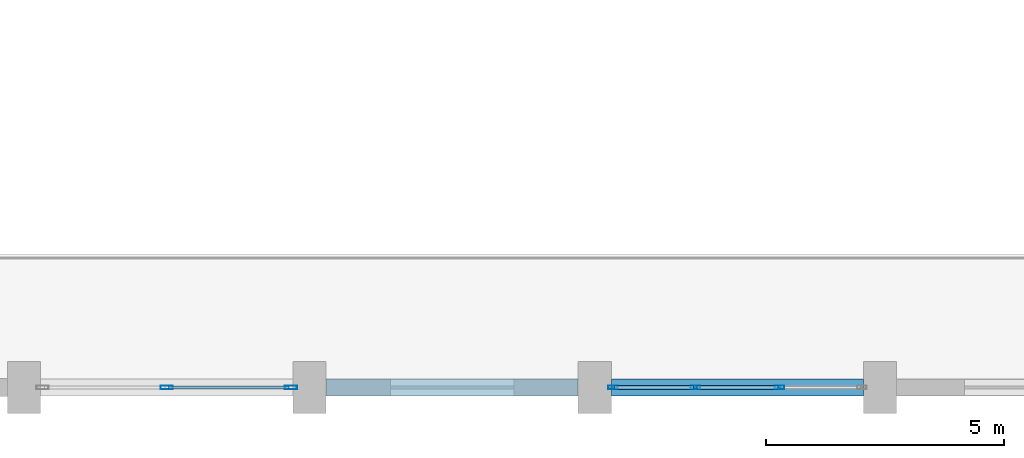
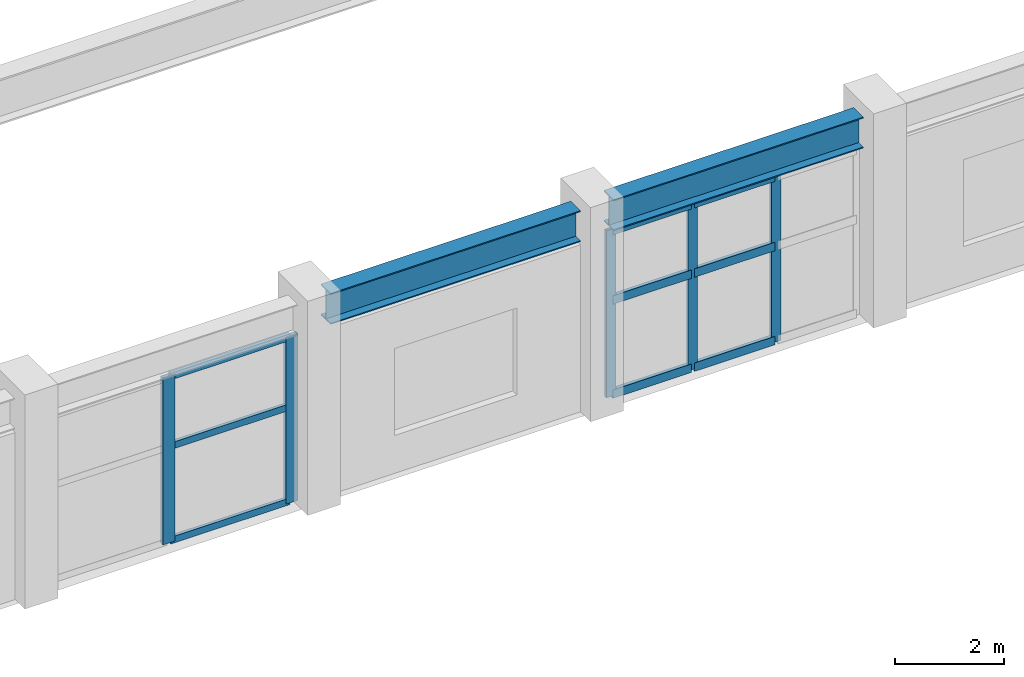
# One storey, part 20 of 80: 14 members, 2 beams, 2 elements without a shape of their own.
"""IFC4 building model written with IfcOpenShell, lengths in metres."""

from ifc_helpers import new_model, si_unit, direction, frame, origin, origin_2d, place, context, subcontext, project, spatial, hollow_rectangle, i_section, extrude, material, layer, layer_set, material_profile, profile_set, type_object, element, aggregate, save


model = new_model("IFC4")

# Units and contexts
model_context = context("Model", 3, precision=1e-05, world=origin(), true_north=direction((0.0, 1.0)))
body_context = subcontext(model_context, "Body", "Model", "MODEL_VIEW")
ifc_project = project(units=[si_unit("LENGTHUNIT", "METRE"), si_unit("AREAUNIT", "SQUARE_METRE"), si_unit("VOLUMEUNIT", "CUBIC_METRE"), si_unit("PLANEANGLEUNIT", "RADIAN"), si_unit("MASSUNIT", "GRAM", prefix="KILO")], contexts=[model_context])

# Site, building, storey
site_placement = place(None, origin())
site = spatial("IfcSite", under=ifc_project, at=site_placement, CompositionType="ELEMENT")
building_placement = place(site_placement, origin())
building = spatial("IfcBuilding", under=site, at=building_placement, Name="Vaelkrest Opera House", CompositionType="ELEMENT")
storey_placement = place(building_placement, frame((0.0, 0.0, 15.0)))
storey = spatial("IfcBuildingStorey", under=building, at=storey_placement, Name="L03", CompositionType="ELEMENT", Elevation=15.0)

# Curtain wall, members
ifc_material_1 = material(Name="Dark bronze anodized aluminium", Category="aluminium")
ifc_layer_1 = layer(ifc_material_1, 0.22998046875)
ifc_layer_set_1 = layer_set([ifc_layer_1], Name="Dark bronze anodized aluminium")
curtain_wall_type_1 = type_object("IfcCurtainWallType", Name="CW06", PredefinedType="NOTDEFINED", material=ifc_layer_set_1)
curtain_wall_1_placement = place(storey_placement, origin())
curtain_wall_1 = element("IfcCurtainWall", 1, at=curtain_wall_1_placement, inside=storey, type_object=curtain_wall_type_1, Name="Curtain wall CW-L03-044", PredefinedType="NOTDEFINED")
ifc_material_profile_1 = material_profile(ifc_material_1, hollow_rectangle(XDim=0.070068359375, YDim=0.199951171875, WallThickness=0.004150390625, at=origin_2d()), Name="CWM70X200")
ifc_profile_set_1 = profile_set([ifc_material_profile_1], Name="Dark bronze anodized aluminium")
member_type_1 = type_object("IfcMemberType", Name="CWM02", PredefinedType="MULLION", material=ifc_profile_set_1)
member_1_placement = place(storey_placement, frame((3.884033203125, -55.800048828125, 0.0), z_axis=(0.0, 0.0, 1.0), x_axis=(0.0, -1.0, 0.0)))
member_1 = element("IfcMember", 2, at=member_1_placement, type_object=member_type_1, Name="CW06 mullion 2", PredefinedType="MULLION", context=body_context, shape_type="SweptSolid", body=[
    extrude(hollow_rectangle(XDim=0.070068359375, YDim=0.199951171875, WallThickness=0.004150390625, at=origin_2d()), origin(), (0.0, 0.0, 1.0), 3.7451171875),
])
member_2_placement = place(storey_placement, frame((2.115966796875, -55.800048828125, 0.0), z_axis=(0.0, 0.0, 1.0), x_axis=(0.0, -1.0, 0.0)))
member_2 = element("IfcMember", 3, at=member_2_placement, type_object=member_type_1, Name="CW06 mullion 3", PredefinedType="MULLION", context=body_context, shape_type="SweptSolid", body=[
    extrude(hollow_rectangle(XDim=0.070068359375, YDim=0.199951171875, WallThickness=0.004150390625, at=origin_2d()), origin(), (0.0, 0.0, 1.0), 3.7451171875),
])
member_3_placement = place(storey_placement, frame((0.383056640625, -55.800048828125, 0.0), z_axis=(0.0, 0.0, 1.0), x_axis=(0.0, -1.0, 0.0)))
member_3 = element("IfcMember", 4, at=member_3_placement, type_object=member_type_1, Name="CW06 mullion 4", PredefinedType="MULLION", context=body_context, shape_type="SweptSolid", body=[
    extrude(hollow_rectangle(XDim=0.070068359375, YDim=0.199951171875, WallThickness=0.004150390625, at=origin_2d()), origin(), (0.0, 0.0, 1.0), 3.7451171875),
])

ifc_layer_2 = layer(ifc_material_1, 0.25)
ifc_layer_set_2 = layer_set([ifc_layer_2], Name="Dark bronze anodized aluminium")
curtain_wall_type_2 = type_object("IfcCurtainWallType", Name="CW08", PredefinedType="NOTDEFINED", material=ifc_layer_set_2)
curtain_wall_2_placement = place(storey_placement, origin())
curtain_wall_2 = element("IfcCurtainWall", 5, at=curtain_wall_2_placement, inside=storey, type_object=curtain_wall_type_2, Name="Curtain wall CW-L03-045", PredefinedType="NOTDEFINED")
ifc_material_profile_2 = material_profile(ifc_material_1, hollow_rectangle(XDim=0.080078125, YDim=0.260009765625, WallThickness=0.0048828125, at=origin_2d()), Name="CWM80X260")
ifc_profile_set_2 = profile_set([ifc_material_profile_2], Name="Dark bronze anodized aluminium")
member_type_2 = type_object("IfcMemberType", Name="CWM04", PredefinedType="MULLION", material=ifc_profile_set_2)
member_4_placement = place(storey_placement, frame((-6.387939453125, -55.800048828125, 0.0), z_axis=(0.0, 0.0, 1.0), x_axis=(0.0, -1.0, 0.0)))
member_4 = element("IfcMember", 6, at=member_4_placement, type_object=member_type_2, Name="CW08 mullion 1", PredefinedType="MULLION", context=body_context, shape_type="SweptSolid", body=[
    extrude(hollow_rectangle(XDim=0.080078125, YDim=0.260009765625, WallThickness=0.0048828125, at=origin_2d()), origin(), (0.0, 0.0, 1.0), 3.7451171875),
])
member_5_placement = place(storey_placement, frame((-9.0, -55.800048828125, 0.0), z_axis=(0.0, 0.0, 1.0), x_axis=(0.0, -1.0, 0.0)))
member_5 = element("IfcMember", 7, at=member_5_placement, type_object=member_type_2, Name="CW08 mullion 2", PredefinedType="MULLION", context=body_context, shape_type="SweptSolid", body=[
    extrude(hollow_rectangle(XDim=0.080078125, YDim=0.260009765625, WallThickness=0.0048828125, at=origin_2d()), origin(), (0.0, 0.0, 1.0), 3.7451171875),
])
ifc_material_profile_3 = material_profile(ifc_material_1, hollow_rectangle(XDim=0.070068359375, YDim=0.14990234375, WallThickness=0.004150390625, at=origin_2d()), Name="CWT70X150")
ifc_profile_set_3 = profile_set([ifc_material_profile_3], Name="Dark bronze anodized aluminium")
member_type_3 = type_object("IfcMemberType", Name="CWT02", PredefinedType="USERDEFINED", material=ifc_profile_set_3)
member_6_placement = place(storey_placement, frame((-6.427978515625, -55.800048828125, 0.034912109375), z_axis=(-1.0, 0.0, 0.0), x_axis=(0.0, -1.0, 0.0)))
member_6 = element("IfcMember", 8, at=member_6_placement, type_object=member_type_3, Name="CW08 transom 1.1", ObjectType="TRANSOM", PredefinedType="USERDEFINED", context=body_context, shape_type="SweptSolid", body=[
    extrude(hollow_rectangle(XDim=0.070068359375, YDim=0.14990234375, WallThickness=0.004150390625, at=origin_2d()), origin(), (0.0, 0.0, 1.0), 2.531982421875),
])
member_7_placement = place(storey_placement, frame((-6.427978515625, -55.800048828125, 2.14990234375), z_axis=(-1.0, 0.0, 0.0), x_axis=(0.0, -1.0, 0.0)))
member_7 = element("IfcMember", 9, at=member_7_placement, type_object=member_type_3, Name="CW08 transom 1.2", ObjectType="TRANSOM", PredefinedType="USERDEFINED", context=body_context, shape_type="SweptSolid", body=[
    extrude(hollow_rectangle(XDim=0.070068359375, YDim=0.14990234375, WallThickness=0.004150390625, at=origin_2d()), origin(), (0.0, 0.0, 1.0), 2.531982421875),
])
member_8_placement = place(storey_placement, frame((-6.427978515625, -55.800048828125, 3.7099609375), z_axis=(-1.0, 0.0, 0.0), x_axis=(0.0, -1.0, 0.0)))
member_8 = element("IfcMember", 10, at=member_8_placement, type_object=member_type_3, Name="CW08 transom 1.3", ObjectType="TRANSOM", PredefinedType="USERDEFINED", context=body_context, shape_type="SweptSolid", body=[
    extrude(hollow_rectangle(XDim=0.070068359375, YDim=0.14990234375, WallThickness=0.004150390625, at=origin_2d()), origin(), (0.0, 0.0, 1.0), 2.531982421875),
])
aggregate(curtain_wall_2, [member_4, member_5, member_6, member_7, member_8])

# Member
ifc_material_profile_4 = material_profile(ifc_material_1, hollow_rectangle(XDim=0.080078125, YDim=0.18994140625, WallThickness=0.0048828125, at=origin_2d()), Name="CWT80X190")
ifc_profile_set_4 = profile_set([ifc_material_profile_4], Name="Dark bronze anodized aluminium")
member_type_4 = type_object("IfcMemberType", Name="CWT04", PredefinedType="USERDEFINED", material=ifc_profile_set_4)
member_9_placement = place(storey_placement, frame((3.84912109375, -55.800048828125, 0.0400390625), z_axis=(-1.0, 0.0, 0.0), x_axis=(0.0, -1.0, 0.0)))
member_9 = element("IfcMember", 11, at=member_9_placement, type_object=member_type_4, Name="CW06 transom 2.1", ObjectType="TRANSOM", PredefinedType="USERDEFINED", context=body_context, shape_type="SweptSolid", body=[
    extrude(hollow_rectangle(XDim=0.080078125, YDim=0.18994140625, WallThickness=0.0048828125, at=origin_2d()), origin(), (0.0, 0.0, 1.0), 1.6982421875),
])

member_10_placement = place(storey_placement, frame((3.84912109375, -55.800048828125, 2.14990234375), z_axis=(-1.0, 0.0, 0.0), x_axis=(0.0, -1.0, 0.0)))
member_10 = element("IfcMember", 12, at=member_10_placement, type_object=member_type_4, Name="CW06 transom 2.2", ObjectType="TRANSOM", PredefinedType="USERDEFINED", context=body_context, shape_type="SweptSolid", body=[
    extrude(hollow_rectangle(XDim=0.080078125, YDim=0.18994140625, WallThickness=0.0048828125, at=origin_2d()), origin(), (0.0, 0.0, 1.0), 1.6982421875),
])

member_11_placement = place(storey_placement, frame((3.84912109375, -55.800048828125, 3.705078125), z_axis=(-1.0, 0.0, 0.0), x_axis=(0.0, -1.0, 0.0)))
member_11 = element("IfcMember", 13, at=member_11_placement, type_object=member_type_4, Name="CW06 transom 2.3", ObjectType="TRANSOM", PredefinedType="USERDEFINED", context=body_context, shape_type="SweptSolid", body=[
    extrude(hollow_rectangle(XDim=0.080078125, YDim=0.18994140625, WallThickness=0.0048828125, at=origin_2d()), origin(), (0.0, 0.0, 1.0), 1.6982421875),
])

member_12_placement = place(storey_placement, frame((2.0810546875, -55.800048828125, 0.0400390625), z_axis=(-1.0, 0.0, 0.0), x_axis=(0.0, -1.0, 0.0)))
member_12 = element("IfcMember", 14, at=member_12_placement, type_object=member_type_4, Name="CW06 transom 3.1", ObjectType="TRANSOM", PredefinedType="USERDEFINED", context=body_context, shape_type="SweptSolid", body=[
    extrude(hollow_rectangle(XDim=0.080078125, YDim=0.18994140625, WallThickness=0.0048828125, at=origin_2d()), origin(), (0.0, 0.0, 1.0), 1.6630859375),
])

member_13_placement = place(storey_placement, frame((2.0810546875, -55.800048828125, 2.14990234375), z_axis=(-1.0, 0.0, 0.0), x_axis=(0.0, -1.0, 0.0)))
member_13 = element("IfcMember", 15, at=member_13_placement, type_object=member_type_4, Name="CW06 transom 3.2", ObjectType="TRANSOM", PredefinedType="USERDEFINED", context=body_context, shape_type="SweptSolid", body=[
    extrude(hollow_rectangle(XDim=0.080078125, YDim=0.18994140625, WallThickness=0.0048828125, at=origin_2d()), origin(), (0.0, 0.0, 1.0), 1.6630859375),
])

member_14_placement = place(storey_placement, frame((2.0810546875, -55.800048828125, 3.705078125), z_axis=(-1.0, 0.0, 0.0), x_axis=(0.0, -1.0, 0.0)))
member_14 = element("IfcMember", 16, at=member_14_placement, type_object=member_type_4, Name="CW06 transom 3.3", ObjectType="TRANSOM", PredefinedType="USERDEFINED", context=body_context, shape_type="SweptSolid", body=[
    extrude(hollow_rectangle(XDim=0.080078125, YDim=0.18994140625, WallThickness=0.0048828125, at=origin_2d()), origin(), (0.0, 0.0, 1.0), 1.6630859375),
])

aggregate(curtain_wall_1, [member_1, member_2, member_3, member_9, member_10, member_11, member_12, member_13, member_14])

# Beams
ifc_material_2 = material(Name="Steel A992 Gr50", Category="steel")
ifc_material_profile_5 = material_profile(ifc_material_2, i_section(OverallWidth=0.35498046875, OverallDepth=0.695068359375, WebThickness=0.015380859375, FlangeThickness=0.02490234375, at=origin_2d()), Name="W27X146")
ifc_profile_set_5 = profile_set([ifc_material_profile_5], Name="Steel A992 Gr50")
beam_type = type_object("IfcBeamType", Name="SP02", PredefinedType="SPANDREL", material=ifc_profile_set_5)
for number, where, z_axis, x_axis, name in (
    (17, (-5.64990234375, -55.800048828125, 4.157470703125), (1.0, 0.0, 0.0), (0.0, 1.0, 0.0), "Beam BM-V1-L03-0425"),
    (18, (0.35009765625, -55.800048828125, 4.157470703125), (1.0, 0.0, 0.0), (0.0, 1.0, 0.0), "Beam BM-V1-L03-0426"),
):
    element("IfcBeam", number, at=place(storey_placement, frame(where, z_axis=z_axis, x_axis=x_axis)), inside=storey, type_object=beam_type, Name=name, PredefinedType="SPANDREL", context=body_context, shape_type="SweptSolid", body=[
        extrude(i_section(OverallWidth=0.35498046875, OverallDepth=0.695068359375, WebThickness=0.015380859375, FlangeThickness=0.02490234375, at=origin_2d()), origin(), (0.0, 0.0, 1.0), 5.2998046875),
    ])

save(model, "model.ifc")
